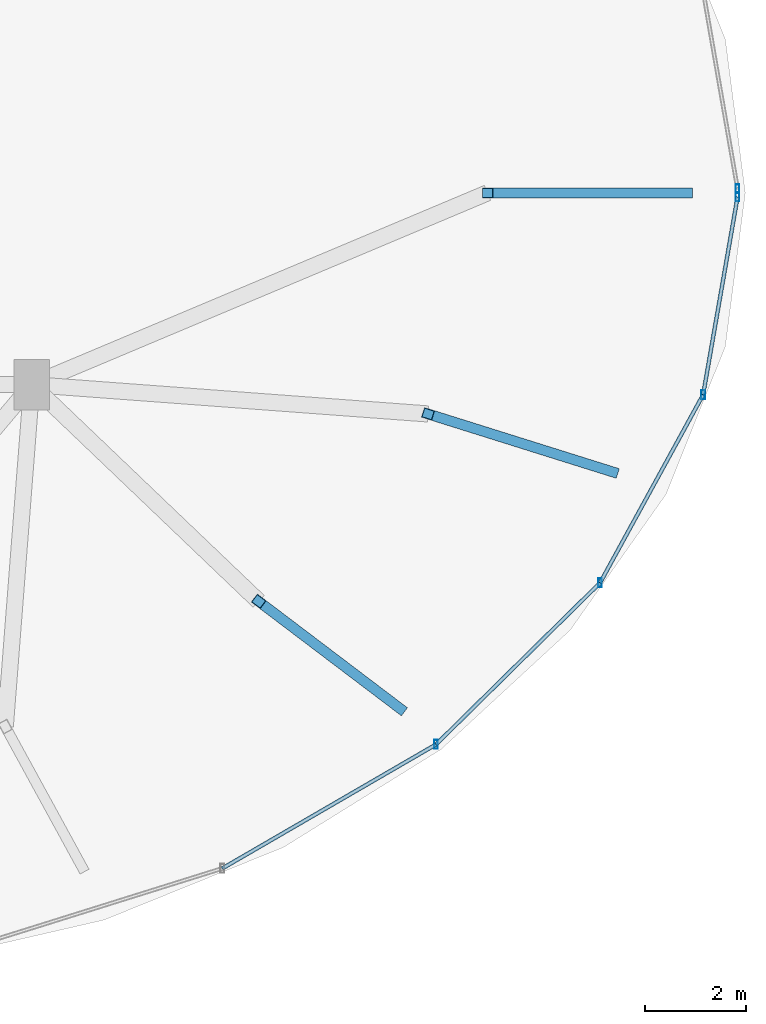
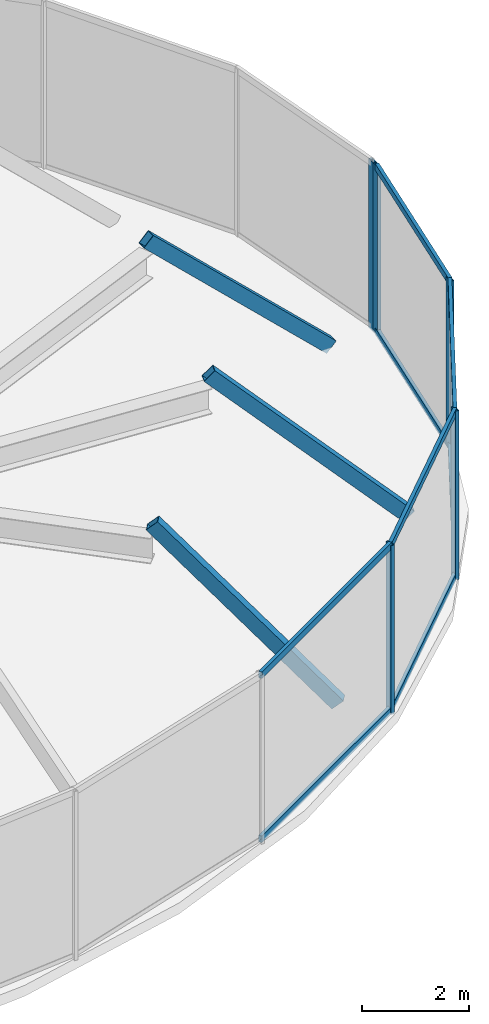
# One storey, part 12 of 14: 16 members, 2 elements without a shape of their own.
"""IFC4 building model written with IfcOpenShell, lengths in metres."""

from ifc_helpers import new_model, si_unit, direction, frame, origin, origin_2d, place, context, subcontext, project, spatial, hollow_rectangle, extrude, material, material_profile, profile_set, type_object, element, aggregate, save


model = new_model("IFC4")

# Units and contexts
model_context = context("Model", 3, precision=1e-05, world=origin(), true_north=direction((0.0, 1.0)))
body_context = subcontext(model_context, "Body", "Model", "MODEL_VIEW")
ifc_project = project(units=[si_unit("LENGTHUNIT", "METRE"), si_unit("AREAUNIT", "SQUARE_METRE"), si_unit("VOLUMEUNIT", "CUBIC_METRE"), si_unit("PLANEANGLEUNIT", "RADIAN"), si_unit("MASSUNIT", "GRAM", prefix="KILO")], contexts=[model_context])

# Site, building, storey
site_placement = place(None, origin())
site = spatial("IfcSite", under=ifc_project, at=site_placement, CompositionType="ELEMENT")
building_placement = place(site_placement, origin())
building = spatial("IfcBuilding", under=site, at=building_placement, Name="Vorneva Point Tower", CompositionType="ELEMENT")
storey_placement = place(building_placement, frame((0.0, 0.0, 299.199951171875)))
storey = spatial("IfcBuildingStorey", under=building, at=storey_placement, Name="C02", CompositionType="ELEMENT", Elevation=299.199951171875)

# Curtain wall, member
ifc_material_1 = material(Name="Pale anodised aluminium", Category="aluminium")
curtain_wall_type = type_object("IfcCurtainWallType", Name="CW-CRN-SYS", PredefinedType="NOTDEFINED", material=ifc_material_1)
curtain_wall_1_placement = place(storey_placement, origin())
curtain_wall_1 = element("IfcCurtainWall", 1, at=curtain_wall_1_placement, inside=storey, type_object=curtain_wall_type, Name="C02 Unitised Curtain Wall CW-C02-Q1", PredefinedType="NOTDEFINED")
ifc_material_profile_1 = material_profile(ifc_material_1, hollow_rectangle(XDim=0.074951171875, YDim=0.179931640625, WallThickness=0.00390625, at=origin_2d()), Name="AL-MUL 180x75x4")
ifc_profile_set_1 = profile_set([ifc_material_profile_1], Name="Pale anodised aluminium")
member_type_1 = type_object("IfcMemberType", Name="CW-MUL-180", PredefinedType="MULLION", material=ifc_profile_set_1)
member_1_placement = place(storey_placement, frame((58.438232421875, 26.078857421875, -0.0400390625), z_axis=(0.0, 0.0, 1.0), x_axis=(1.0, 0.0, 0.0)))
member_1 = element("IfcMember", 2, at=member_1_placement, type_object=member_type_1, Name="CW-C02-Q1 Mullion 01", PredefinedType="MULLION", context=body_context, shape_type="SweptSolid", body=[
    extrude(hollow_rectangle(XDim=0.074951171875, YDim=0.179931640625, WallThickness=0.00390625, at=origin_2d()), origin(), (0.0, 0.0, 1.0), 3.8701171875),
])
aggregate(curtain_wall_1, [member_1])

# Curtain wall, members
curtain_wall_2_placement = place(storey_placement, origin())
curtain_wall_2 = element("IfcCurtainWall", 3, at=curtain_wall_2_placement, inside=storey, type_object=curtain_wall_type, Name="C02 Unitised Curtain Wall CW-C02-Q4", PredefinedType="NOTDEFINED")
member_2_placement = place(storey_placement, frame((52.461669921875, 15.068115234375, -0.0400390625), z_axis=(0.0, 0.0, 1.0), x_axis=(1.0, 0.0, 0.0)))
member_2 = element("IfcMember", 4, at=member_2_placement, type_object=member_type_1, Name="CW-C02-Q4 Mullion 04", PredefinedType="MULLION", context=body_context, shape_type="SweptSolid", body=[
    extrude(hollow_rectangle(XDim=0.074951171875, YDim=0.179931640625, WallThickness=0.00390625, at=origin_2d()), origin(), (0.0, 0.0, 1.0), 3.8701171875),
])
member_3_placement = place(storey_placement, frame((55.7119140625, 18.27001953125, -0.0400390625), z_axis=(0.0, 0.0, 1.0), x_axis=(1.0, 0.0, 0.0)))
member_3 = element("IfcMember", 5, at=member_3_placement, type_object=member_type_1, Name="CW-C02-Q4 Mullion 05", PredefinedType="MULLION", context=body_context, shape_type="SweptSolid", body=[
    extrude(hollow_rectangle(XDim=0.074951171875, YDim=0.179931640625, WallThickness=0.00390625, at=origin_2d()), origin(), (0.0, 0.0, 1.0), 3.8701171875),
])
member_4_placement = place(storey_placement, frame((57.755126953125, 21.998779296875, -0.0400390625), z_axis=(0.0, 0.0, 1.0), x_axis=(1.0, 0.0, 0.0)))
member_4 = element("IfcMember", 6, at=member_4_placement, type_object=member_type_1, Name="CW-C02-Q4 Mullion 06", PredefinedType="MULLION", context=body_context, shape_type="SweptSolid", body=[
    extrude(hollow_rectangle(XDim=0.074951171875, YDim=0.179931640625, WallThickness=0.00390625, at=origin_2d()), origin(), (0.0, 0.0, 1.0), 3.8701171875),
])
member_5_placement = place(storey_placement, frame((58.438232421875, 25.921142578125, -0.0400390625), z_axis=(0.0, 0.0, 1.0), x_axis=(1.0, 0.0, 0.0)))
member_5 = element("IfcMember", 7, at=member_5_placement, type_object=member_type_1, Name="CW-C02-Q4 Mullion 07", PredefinedType="MULLION", context=body_context, shape_type="SweptSolid", body=[
    extrude(hollow_rectangle(XDim=0.074951171875, YDim=0.179931640625, WallThickness=0.00390625, at=origin_2d()), origin(), (0.0, 0.0, 1.0), 3.8701171875),
])
ifc_material_profile_2 = material_profile(ifc_material_1, hollow_rectangle(XDim=0.074951171875, YDim=0.14990234375, WallThickness=0.00390625, at=origin_2d()), Name="AL-TRN 150x75x4")
ifc_profile_set_2 = profile_set([ifc_material_profile_2], Name="Pale anodised aluminium")
member_type_2 = type_object("IfcMemberType", Name="CW-TRN-150", PredefinedType="USERDEFINED", material=ifc_profile_set_2)
member_6_placement = place(storey_placement, frame((48.22607421875, 12.611083984375, 0.02001953125), z_axis=(0.864996998067, 0.50177703548, 0.0), x_axis=(-0.50177703548, 0.864996998067, 0.0)))
member_6 = element("IfcMember", 8, at=member_6_placement, type_object=member_type_2, Name="CW-C02-Q4 Transom 03.1", ObjectType="TRANSOM", PredefinedType="USERDEFINED", context=body_context, shape_type="SweptSolid", body=[
    extrude(hollow_rectangle(XDim=0.074951171875, YDim=0.14990234375, WallThickness=0.00390625, at=origin_2d()), origin(), (0.0, 0.0, 1.0), 4.896728515625),
])
member_7_placement = place(storey_placement, frame((48.22607421875, 12.611083984375, 3.780029296875), z_axis=(0.864996998067, 0.50177703548, 0.0), x_axis=(-0.50177703548, 0.864996998067, 0.0)))
member_7 = element("IfcMember", 9, at=member_7_placement, type_object=member_type_2, Name="CW-C02-Q4 Transom 03.2", ObjectType="TRANSOM", PredefinedType="USERDEFINED", context=body_context, shape_type="SweptSolid", body=[
    extrude(hollow_rectangle(XDim=0.074951171875, YDim=0.14990234375, WallThickness=0.00390625, at=origin_2d()), origin(), (0.0, 0.0, 1.0), 4.896728515625),
])
member_8_placement = place(storey_placement, frame((52.461669921875, 15.068115234375, 0.02001953125), z_axis=(0.712384470192, 0.701789403332, 0.0), x_axis=(-0.701789403332, 0.712384470192, 0.0)))
member_8 = element("IfcMember", 10, at=member_8_placement, type_object=member_type_2, Name="CW-C02-Q4 Transom 04.1", ObjectType="TRANSOM", PredefinedType="USERDEFINED", context=body_context, shape_type="SweptSolid", body=[
    extrude(hollow_rectangle(XDim=0.074951171875, YDim=0.14990234375, WallThickness=0.00390625, at=origin_2d()), origin(), (0.0, 0.0, 1.0), 4.5625),
])
member_9_placement = place(storey_placement, frame((52.461669921875, 15.068115234375, 3.780029296875), z_axis=(0.712384470192, 0.701789403332, 0.0), x_axis=(-0.701789403332, 0.712384470192, 0.0)))
member_9 = element("IfcMember", 11, at=member_9_placement, type_object=member_type_2, Name="CW-C02-Q4 Transom 04.2", ObjectType="TRANSOM", PredefinedType="USERDEFINED", context=body_context, shape_type="SweptSolid", body=[
    extrude(hollow_rectangle(XDim=0.074951171875, YDim=0.14990234375, WallThickness=0.00390625, at=origin_2d()), origin(), (0.0, 0.0, 1.0), 4.5625),
])
member_10_placement = place(storey_placement, frame((55.7119140625, 18.27001953125, 0.02001953125), z_axis=(0.480544935922, 0.876970104713, 0.0), x_axis=(-0.876970104713, 0.480544935922, 0.0)))
member_10 = element("IfcMember", 12, at=member_10_placement, type_object=member_type_2, Name="CW-C02-Q4 Transom 05.1", ObjectType="TRANSOM", PredefinedType="USERDEFINED", context=body_context, shape_type="SweptSolid", body=[
    extrude(hollow_rectangle(XDim=0.074951171875, YDim=0.14990234375, WallThickness=0.00390625, at=origin_2d()), origin(), (0.0, 0.0, 1.0), 4.251953125),
])
member_11_placement = place(storey_placement, frame((55.7119140625, 18.27001953125, 3.780029296875), z_axis=(0.480544935922, 0.876970104713, 0.0), x_axis=(-0.876970104713, 0.480544935922, 0.0)))
member_11 = element("IfcMember", 13, at=member_11_placement, type_object=member_type_2, Name="CW-C02-Q4 Transom 05.2", ObjectType="TRANSOM", PredefinedType="USERDEFINED", context=body_context, shape_type="SweptSolid", body=[
    extrude(hollow_rectangle(XDim=0.074951171875, YDim=0.14990234375, WallThickness=0.00390625, at=origin_2d()), origin(), (0.0, 0.0, 1.0), 4.251953125),
])
member_12_placement = place(storey_placement, frame((57.755126953125, 21.998779296875, 0.02001953125), z_axis=(0.17157407442, 0.985171222168, 0.0), x_axis=(-0.985171222168, 0.17157407442, 0.0)))
member_12 = element("IfcMember", 14, at=member_12_placement, type_object=member_type_2, Name="CW-C02-Q4 Transom 06.1", ObjectType="TRANSOM", PredefinedType="USERDEFINED", context=body_context, shape_type="SweptSolid", body=[
    extrude(hollow_rectangle(XDim=0.074951171875, YDim=0.14990234375, WallThickness=0.00390625, at=origin_2d()), origin(), (0.0, 0.0, 1.0), 3.9814453125),
])
member_13_placement = place(storey_placement, frame((57.755126953125, 21.998779296875, 3.780029296875), z_axis=(0.17157407442, 0.985171222168, 0.0), x_axis=(-0.985171222168, 0.17157407442, 0.0)))
member_13 = element("IfcMember", 15, at=member_13_placement, type_object=member_type_2, Name="CW-C02-Q4 Transom 06.2", ObjectType="TRANSOM", PredefinedType="USERDEFINED", context=body_context, shape_type="SweptSolid", body=[
    extrude(hollow_rectangle(XDim=0.074951171875, YDim=0.14990234375, WallThickness=0.00390625, at=origin_2d()), origin(), (0.0, 0.0, 1.0), 3.9814453125),
])
aggregate(curtain_wall_2, [member_2, member_3, member_4, member_5, member_6, member_7, member_8, member_9, member_10, member_11, member_12, member_13])

# Members
ifc_material_2 = material(Name="Steel S355", Category="steel")
ifc_material_profile_3 = material_profile(ifc_material_2, hollow_rectangle(XDim=0.199951171875, YDim=0.300048828125, WallThickness=0.011962890625, at=origin_2d()), Name="PP 300x200x12")
ifc_profile_set_3 = profile_set([ifc_material_profile_3], Name="Steel S355")
member_type_3 = type_object("IfcMemberType", Name="MBR-CRN-PP300", PredefinedType="CHORD", material=ifc_profile_set_3)
member_14_placement = place(storey_placement, frame((57.44189453125, 26.0, 0.0), z_axis=(-0.721525091303, 0.0, 0.692388288911), x_axis=(0.0, -1.0, 0.0)))
element("IfcMember", 16, at=member_14_placement, inside=storey, type_object=member_type_3, Name="Crown Tapered Frame Rib C02-01", PredefinedType="CHORD", context=body_context, shape_type="SweptSolid", body=[
    extrude(hollow_rectangle(XDim=0.199951171875, YDim=0.300048828125, WallThickness=0.011962890625, at=origin_2d()), origin(), (0.0, 0.0, 1.0), 5.48828125),
])
member_15_placement = place(storey_placement, frame((51.74755859375, 15.7822265625, 0.0), z_axis=(-0.541071287919, 0.409919646066, 0.73430766383), x_axis=(-0.603873744737, -0.797079983702, 0.0)))
element("IfcMember", 17, at=member_15_placement, inside=storey, type_object=member_type_3, Name="Crown Tapered Frame Rib C02-15", PredefinedType="CHORD", context=body_context, shape_type="SweptSolid", body=[
    extrude(hollow_rectangle(XDim=0.199951171875, YDim=0.300048828125, WallThickness=0.011962890625, at=origin_2d()), origin(), (0.0, 0.0, 1.0), 5.175048828125),
])
member_16_placement = place(storey_placement, frame((55.962158203125, 20.47021484375, 0.0), z_axis=(-0.677712777002, 0.21268405113, 0.703896928736), x_axis=(-0.299427585254, -0.954119028837, 0.0)))
element("IfcMember", 18, at=member_16_placement, inside=storey, type_object=member_type_3, Name="Crown Tapered Frame Rib C02-16", PredefinedType="CHORD", context=body_context, shape_type="SweptSolid", body=[
    extrude(hollow_rectangle(XDim=0.199951171875, YDim=0.300048828125, WallThickness=0.011962890625, at=origin_2d()), origin(), (0.0, 0.0, 1.0), 5.398681640625),
])

save(model, "model.ifc")
